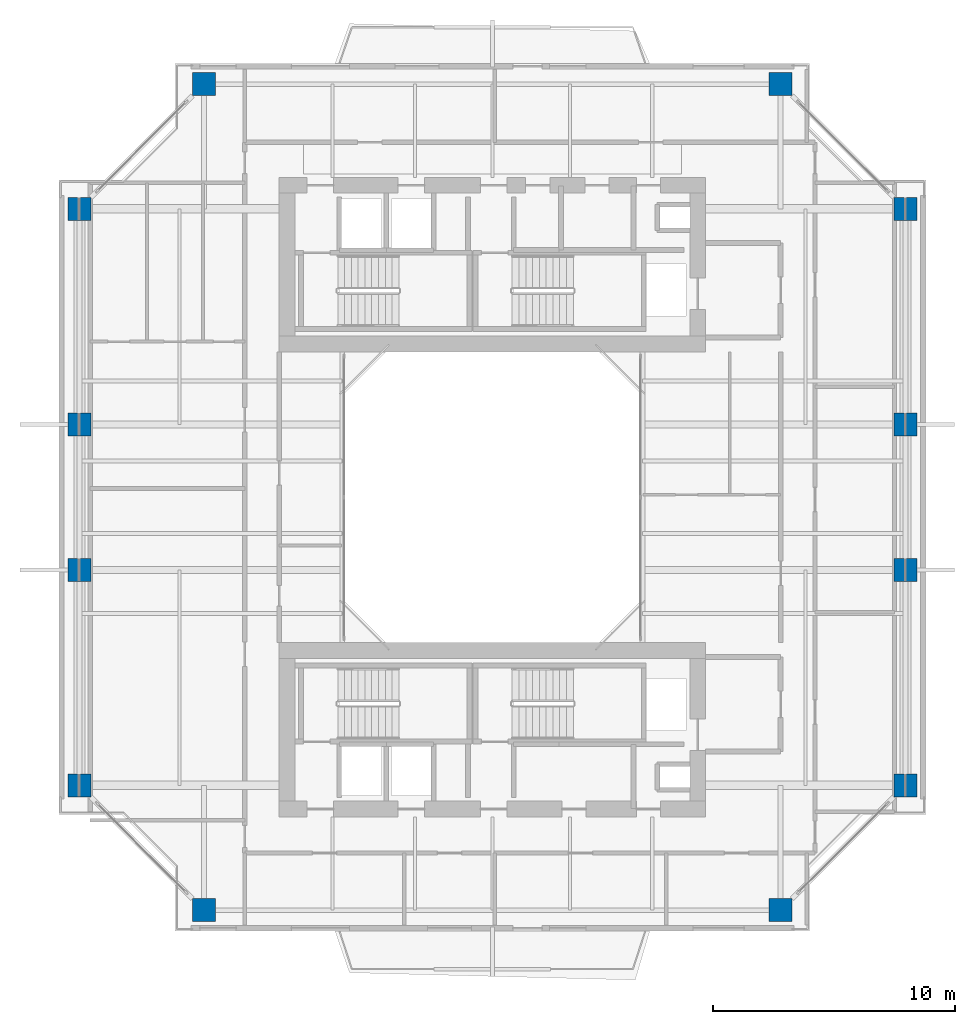
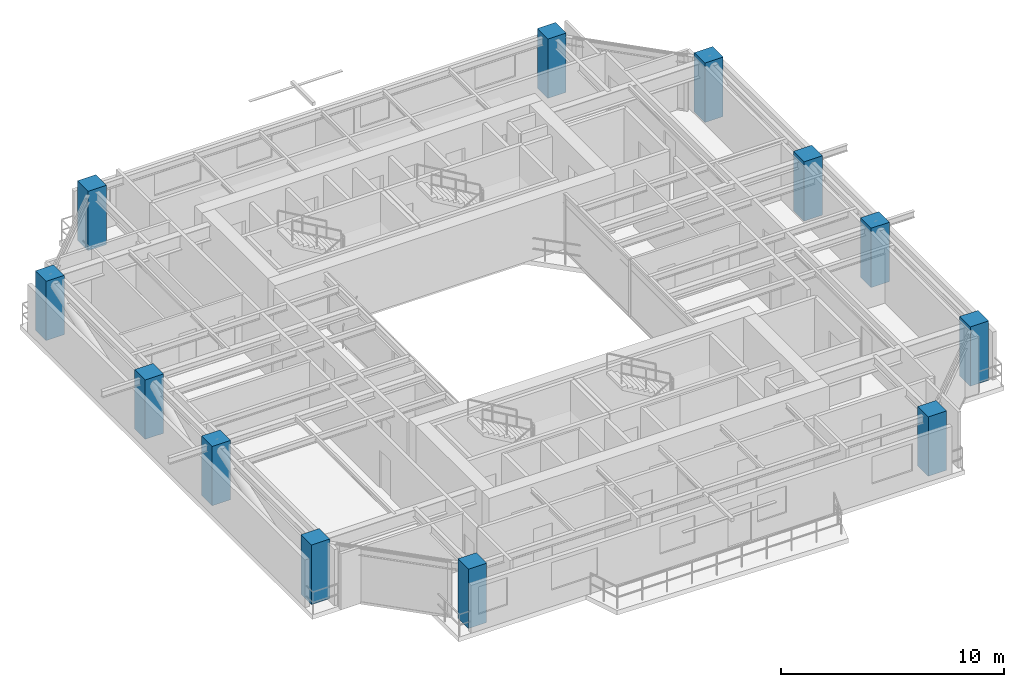
# One storey, part 1 of 14: 12 columns.
"""IFC4 building model written with IfcOpenShell, lengths in metres."""

from ifc_helpers import new_model, si_unit, direction, frame, origin, origin_2d, place, context, subcontext, project, spatial, rectangle, extrude, source, transform, mapped, material, material_profile, profile_set, type_object, element, save


model = new_model("IFC4")

# Units and contexts
model_context = context("Model", 3, precision=1e-05, world=origin(), true_north=direction((0.0, 1.0)))
body_context = subcontext(model_context, "Body", "Model", "MODEL_VIEW")
ifc_project = project(units=[si_unit("LENGTHUNIT", "METRE"), si_unit("AREAUNIT", "SQUARE_METRE"), si_unit("VOLUMEUNIT", "CUBIC_METRE"), si_unit("PLANEANGLEUNIT", "RADIAN"), si_unit("MASSUNIT", "GRAM", prefix="KILO"), si_unit("THERMODYNAMICTEMPERATUREUNIT", "KELVIN"), si_unit("POWERUNIT", "WATT")], contexts=[model_context])

# Site, building, storey
site_placement = place(None, origin())
site = spatial("IfcSite", under=ifc_project, at=site_placement, CompositionType="ELEMENT")
building_placement = place(site_placement, origin())
building = spatial("IfcBuilding", under=site, at=building_placement, Name="Qiaomeng Ring Towers", CompositionType="ELEMENT")
storey_placement = place(building_placement, frame((0.0, 0.0, 176.25)))
storey = spatial("IfcBuildingStorey", under=building, at=storey_placement, Name="L51", CompositionType="ELEMENT", Elevation=176.25)

# Columns
ifc_material = material(Name="Concrete C50", Category="concrete")
ifc_material_profile = material_profile(ifc_material, rectangle(XDim=0.949951171875, YDim=0.949951171875, at=origin_2d()), Name="RC COL 950x950")
ifc_profile_set = profile_set([ifc_material_profile], Name="Concrete C50")
column_type = type_object("IfcColumnType", Name="STR-COL-950-C50", PredefinedType="COLUMN", material=ifc_profile_set)
shared_shape = source(origin(), body_context, "Body", "SweptSolid", [
    extrude(rectangle(XDim=0.949951171875, YDim=0.949951171875, at=origin_2d()), origin(), (0.0, 0.0, 1.0), 3.25),
])
for number, where, z_axis, x_axis, name in (
    (1, (7.10009765625, 5.949951171875, 0.0), (0.0, 0.0, 1.0), (1.0, 0.0, 0.0), "L51 column STR-COL-L51-T1-S1"),
    (2, (30.89990234375, 5.949951171875, 0.0), (0.0, 0.0, 1.0), (1.0, 0.0, 0.0), "L51 column STR-COL-L51-T1-S2"),
    (3, (36.050048828125, 11.10009765625, 0.0), (0.0, 0.0, 1.0), (1.0, 0.0, 0.0), "L51 column STR-COL-L51-T1-E1"),
    (4, (36.050048828125, 20.0, 0.0), (0.0, 0.0, 1.0), (1.0, 0.0, 0.0), "L51 column STR-COL-L51-T1-E2"),
    (5, (36.050048828125, 26.0, 0.0), (0.0, 0.0, 1.0), (1.0, 0.0, 0.0), "L51 column STR-COL-L51-T1-E3"),
    (6, (36.050048828125, 34.89990234375, 0.0), (0.0, 0.0, 1.0), (1.0, 0.0, 0.0), "L51 column STR-COL-L51-T1-E4"),
    (7, (30.89990234375, 40.050048828125, 0.0), (0.0, 0.0, 1.0), (1.0, 0.0, 0.0), "L51 column STR-COL-L51-T1-N2"),
    (8, (7.10009765625, 40.050048828125, 0.0), (0.0, 0.0, 1.0), (1.0, 0.0, 0.0), "L51 column STR-COL-L51-T1-N1"),
    (9, (1.949951171875, 34.89990234375, 0.0), (0.0, 0.0, 1.0), (1.0, 0.0, 0.0), "L51 column STR-COL-L51-T1-W4"),
    (10, (1.949951171875, 26.0, 0.0), (0.0, 0.0, 1.0), (1.0, 0.0, 0.0), "L51 column STR-COL-L51-T1-W3"),
    (11, (1.949951171875, 20.0, 0.0), (0.0, 0.0, 1.0), (1.0, 0.0, 0.0), "L51 column STR-COL-L51-T1-W2"),
    (12, (1.949951171875, 11.10009765625, 0.0), (0.0, 0.0, 1.0), (1.0, 0.0, 0.0), "L51 column STR-COL-L51-T1-W1"),
):
    element("IfcColumn", number, at=place(storey_placement, frame(where, z_axis=z_axis, x_axis=x_axis)), inside=storey, type_object=column_type, Name=name, PredefinedType="COLUMN", context=body_context, shape_type="MappedRepresentation", body=[
        mapped(shared_shape, transform((0.0, 0.0, 0.0), x_axis=(1.0, 0.0, 0.0), y_axis=(0.0, 1.0, 0.0), z_axis=(0.0, 0.0, 1.0), scale=1.0)),
    ])

save(model, "model.ifc")
